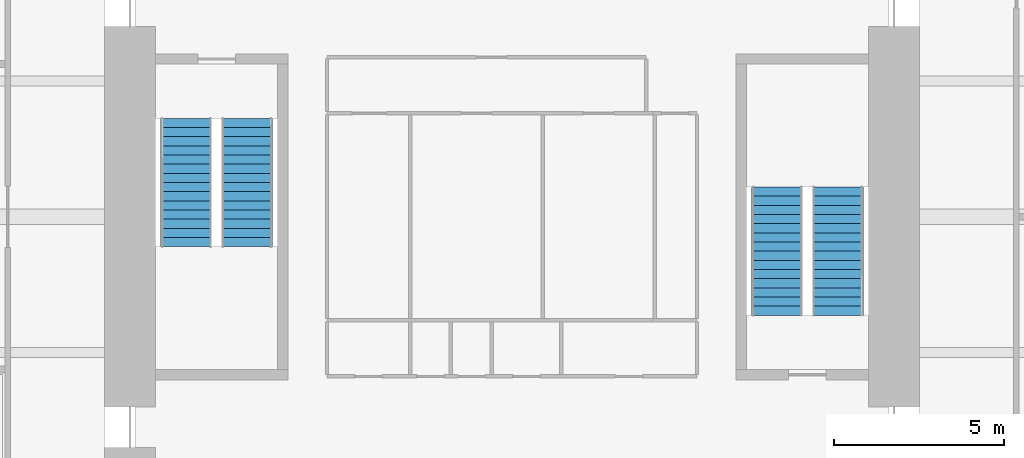
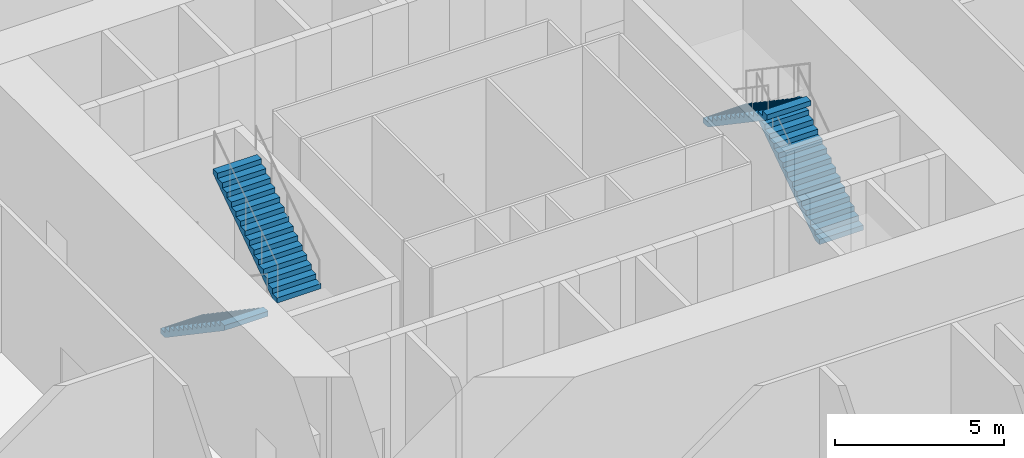
# One storey, part 7 of 8: 4 stair flights, 2 elements without a shape of their own.
"""IFC4 building model written with IfcOpenShell, lengths in metres."""

from ifc_helpers import new_model, si_unit, direction, frame, origin, place, context, subcontext, project, spatial, polyline, outline, extrude, material, type_object, element, aggregate, save


model = new_model("IFC4")

# Units and contexts
model_context = context("Model", 3, precision=1e-05, world=origin(), true_north=direction((0.0, 1.0)))
body_context = subcontext(model_context, "Body", "Model", "MODEL_VIEW")
ifc_project = project(units=[si_unit("LENGTHUNIT", "METRE"), si_unit("AREAUNIT", "SQUARE_METRE"), si_unit("VOLUMEUNIT", "CUBIC_METRE"), si_unit("PLANEANGLEUNIT", "RADIAN"), si_unit("MASSUNIT", "GRAM", prefix="KILO")], contexts=[model_context])

# Site, building, storey
site_placement = place(None, origin())
site = spatial("IfcSite", under=ifc_project, at=site_placement, CompositionType="ELEMENT")
building_placement = place(site_placement, origin())
building = spatial("IfcBuilding", under=site, at=building_placement, Name="Peilmerk Tower", CompositionType="ELEMENT")
storey_placement = place(building_placement, frame((0.0, 0.0, 59.5)))
storey = spatial("IfcBuildingStorey", under=building, at=storey_placement, Name="L11", CompositionType="ELEMENT", Elevation=59.5)

# Stair, stair flights
ifc_material = material(Name="Precast concrete C45/55", Category="concrete")
stair_type_1 = type_object("IfcStairType", Name="ST1 30 risers of 183.3", PredefinedType="HALF_TURN_STAIR", material=ifc_material)
stair_1_placement = place(storey_placement, origin())
stair_1 = element("IfcStair", 1, at=stair_1_placement, inside=storey, type_object=stair_type_1, Name="Stair 1 L11 to L12", PredefinedType="HALF_TURN_STAIR")
stair_flight_type = type_object("IfcStairFlightType", Name="SF15 flight, 15 risers of 183.3", PredefinedType="STRAIGHT", material=ifc_material)
stair_flight_1_placement = place(storey_placement, frame((-9.60009765625, 2.89990234375, 0.0), z_axis=(0.0, 0.0, 1.0), x_axis=(0.0, -1.0, 0.0)))
stair_flight_1 = element("IfcStairFlight", 2, at=stair_flight_1_placement, type_object=stair_flight_type, Name="ST1 flight 1", NumberOfRisers=15, NumberOfTreads=14, PredefinedType="STRAIGHT", RiserHeight=0.183333333, TreadLength=0.27, context=body_context, shape_type="SweptSolid", body=[
    extrude(outline(polyline([(0.0, 0.0), (0.0, 0.183349609375), (0.27001953125, 0.183349609375), (0.27001953125, 0.36669921875), (0.5400390625, 0.36669921875), (0.5400390625, 0.550048828125), (0.81005859375, 0.550048828125), (0.81005859375, 0.7333984375), (1.080078125, 0.7333984375), (1.080078125, 0.916748046875), (1.35009765625, 0.916748046875), (1.35009765625, 1.10009765625), (1.6201171875, 1.10009765625), (1.6201171875, 1.283447265625), (1.889892578125, 1.283447265625), (1.889892578125, 1.466552734375), (2.159912109375, 1.466552734375), (2.159912109375, 1.64990234375), (2.429931640625, 1.64990234375), (2.429931640625, 1.833251953125), (2.699951171875, 1.833251953125), (2.699951171875, 2.0166015625), (2.969970703125, 2.0166015625), (2.969970703125, 2.199951171875), (3.239990234375, 2.199951171875), (3.239990234375, 2.38330078125), (3.510009765625, 2.38330078125), (3.510009765625, 2.566650390625), (3.780029296875, 2.566650390625), (3.780029296875, 2.75), (3.780029296875, 2.385498046875), (0.266845703125, 0.0), (0.0, 0.0)])), frame((0.0, 0.75, 0.0), z_axis=(0.0, -1.0, 0.0), x_axis=(1.0, 0.0, 0.0)), (0.0, 0.0, 1.0), 1.5),
])
stair_flight_2_placement = place(storey_placement, frame((-7.800048828125, -0.8798828125, 2.75), z_axis=(0.0, 0.0, 1.0), x_axis=(0.0, 1.0, 0.0)))
stair_flight_2 = element("IfcStairFlight", 3, at=stair_flight_2_placement, type_object=stair_flight_type, Name="ST1 flight 2", NumberOfRisers=15, NumberOfTreads=14, PredefinedType="STRAIGHT", RiserHeight=0.183333333, TreadLength=0.27, context=body_context, shape_type="SweptSolid", body=[
    extrude(outline(polyline([(0.0, 0.0), (0.0, 0.183349609375), (0.27001953125, 0.183349609375), (0.27001953125, 0.36669921875), (0.5400390625, 0.36669921875), (0.5400390625, 0.550048828125), (0.81005859375, 0.550048828125), (0.81005859375, 0.7333984375), (1.080078125, 0.7333984375), (1.080078125, 0.916748046875), (1.35009765625, 0.916748046875), (1.35009765625, 1.10009765625), (1.6201171875, 1.10009765625), (1.6201171875, 1.283447265625), (1.889892578125, 1.283447265625), (1.889892578125, 1.466552734375), (2.159912109375, 1.466552734375), (2.159912109375, 1.64990234375), (2.429931640625, 1.64990234375), (2.429931640625, 1.833251953125), (2.699951171875, 1.833251953125), (2.699951171875, 2.0166015625), (2.969970703125, 2.0166015625), (2.969970703125, 2.199951171875), (3.239990234375, 2.199951171875), (3.239990234375, 2.38330078125), (3.510009765625, 2.38330078125), (3.510009765625, 2.566650390625), (3.780029296875, 2.566650390625), (3.780029296875, 2.75), (3.780029296875, 2.385498046875), (0.266845703125, 0.0), (0.0, 0.0)])), frame((0.0, 0.75, 0.0), z_axis=(0.0, -1.0, 0.0), x_axis=(1.0, 0.0, 0.0)), (0.0, 0.0, 1.0), 1.5),
])
aggregate(stair_1, [stair_flight_1, stair_flight_2])

stair_type_2 = type_object("IfcStairType", Name="ST2 30 risers of 183.3", PredefinedType="HALF_TURN_STAIR", material=ifc_material)
stair_2_placement = place(storey_placement, origin())
stair_2 = element("IfcStair", 4, at=stair_2_placement, inside=storey, type_object=stair_type_2, Name="Stair 2 L11 to L12", PredefinedType="HALF_TURN_STAIR")
stair_flight_3_placement = place(storey_placement, frame((9.60009765625, -2.89990234375, 0.0), z_axis=(0.0, 0.0, 1.0), x_axis=(0.0, 1.0, 0.0)))
stair_flight_3 = element("IfcStairFlight", 5, at=stair_flight_3_placement, type_object=stair_flight_type, Name="ST2 flight 1", NumberOfRisers=15, NumberOfTreads=14, PredefinedType="STRAIGHT", RiserHeight=0.183333333, TreadLength=0.27, context=body_context, shape_type="SweptSolid", body=[
    extrude(outline(polyline([(0.0, 0.0), (0.0, 0.183349609375), (0.27001953125, 0.183349609375), (0.27001953125, 0.36669921875), (0.5400390625, 0.36669921875), (0.5400390625, 0.550048828125), (0.81005859375, 0.550048828125), (0.81005859375, 0.7333984375), (1.080078125, 0.7333984375), (1.080078125, 0.916748046875), (1.35009765625, 0.916748046875), (1.35009765625, 1.10009765625), (1.6201171875, 1.10009765625), (1.6201171875, 1.283447265625), (1.889892578125, 1.283447265625), (1.889892578125, 1.466552734375), (2.159912109375, 1.466552734375), (2.159912109375, 1.64990234375), (2.429931640625, 1.64990234375), (2.429931640625, 1.833251953125), (2.699951171875, 1.833251953125), (2.699951171875, 2.0166015625), (2.969970703125, 2.0166015625), (2.969970703125, 2.199951171875), (3.239990234375, 2.199951171875), (3.239990234375, 2.38330078125), (3.510009765625, 2.38330078125), (3.510009765625, 2.566650390625), (3.780029296875, 2.566650390625), (3.780029296875, 2.75), (3.780029296875, 2.385498046875), (0.266845703125, 0.0), (0.0, 0.0)])), frame((0.0, 0.75, 0.0), z_axis=(0.0, -1.0, 0.0), x_axis=(1.0, 0.0, 0.0)), (0.0, 0.0, 1.0), 1.5),
])
stair_flight_4_placement = place(storey_placement, frame((7.800048828125, 0.8798828125, 2.75), z_axis=(0.0, 0.0, 1.0), x_axis=(0.0, -1.0, 0.0)))
stair_flight_4 = element("IfcStairFlight", 6, at=stair_flight_4_placement, type_object=stair_flight_type, Name="ST2 flight 2", NumberOfRisers=15, NumberOfTreads=14, PredefinedType="STRAIGHT", RiserHeight=0.183333333, TreadLength=0.27, context=body_context, shape_type="SweptSolid", body=[
    extrude(outline(polyline([(0.0, 0.0), (0.0, 0.183349609375), (0.27001953125, 0.183349609375), (0.27001953125, 0.36669921875), (0.5400390625, 0.36669921875), (0.5400390625, 0.550048828125), (0.81005859375, 0.550048828125), (0.81005859375, 0.7333984375), (1.080078125, 0.7333984375), (1.080078125, 0.916748046875), (1.35009765625, 0.916748046875), (1.35009765625, 1.10009765625), (1.6201171875, 1.10009765625), (1.6201171875, 1.283447265625), (1.889892578125, 1.283447265625), (1.889892578125, 1.466552734375), (2.159912109375, 1.466552734375), (2.159912109375, 1.64990234375), (2.429931640625, 1.64990234375), (2.429931640625, 1.833251953125), (2.699951171875, 1.833251953125), (2.699951171875, 2.0166015625), (2.969970703125, 2.0166015625), (2.969970703125, 2.199951171875), (3.239990234375, 2.199951171875), (3.239990234375, 2.38330078125), (3.510009765625, 2.38330078125), (3.510009765625, 2.566650390625), (3.780029296875, 2.566650390625), (3.780029296875, 2.75), (3.780029296875, 2.385498046875), (0.266845703125, 0.0), (0.0, 0.0)])), frame((0.0, 0.75, 0.0), z_axis=(0.0, -1.0, 0.0), x_axis=(1.0, 0.0, 0.0)), (0.0, 0.0, 1.0), 1.5),
])
aggregate(stair_2, [stair_flight_3, stair_flight_4])

save(model, "model.ifc")
